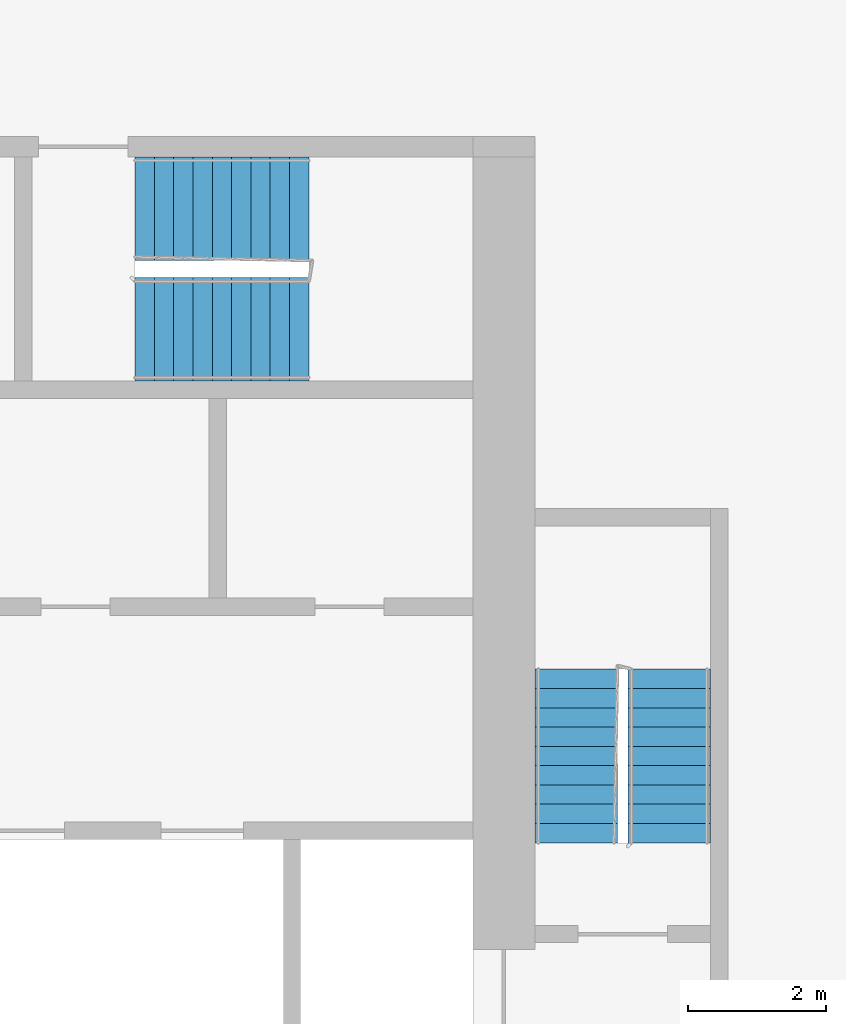
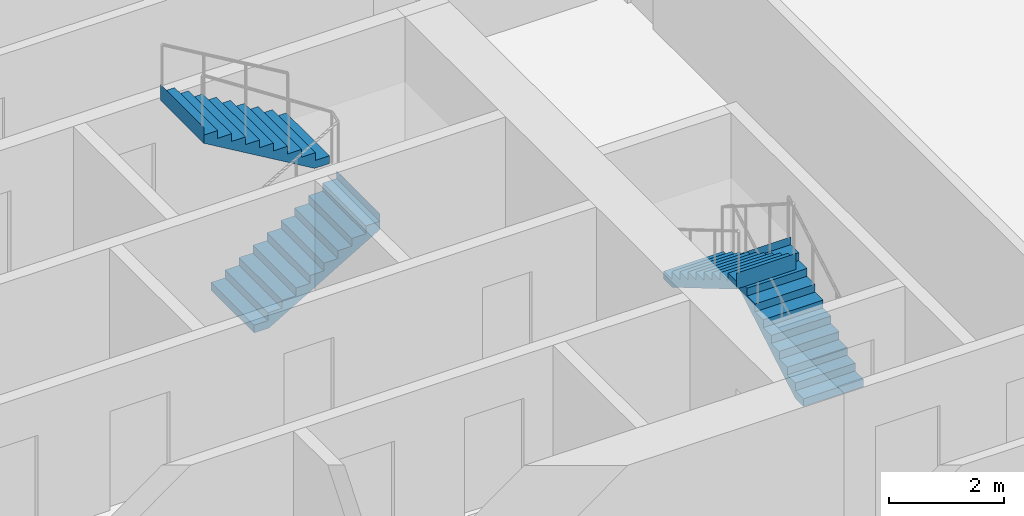
# One storey, part 10 of 11: 4 stair flights, 2 elements without a shape of their own.
"""IFC4 building model written with IfcOpenShell, lengths in metres."""

import ifcopenshell
import ifcopenshell.guid

model = None  # the IFC model being written
_history = None  # IfcOwnerHistory: only IFC2X3 demands one
_inside = {}  # id of a spatial element -> (the spatial element, [elements in it])
_under = {}  # id of a project, library or spatial element -> (it, [spatial elements below it])
_declared = {}  # id of a project -> (the project, [libraries it declares])
_typed = {}  # id of a type object -> (the type object, [elements of that type])
_made_of = {}  # id of a material, layer set ... -> (it, [elements and type objects made of it])


def new_model(schema):
    """Start an empty IFC model of exactly this schema.

    Asked for "IFC4X3", IfcOpenShell would pick the latest addendum, in which some entities
    have other attributes; the version numbers below select the first issue.
    IFC2X3 requires an IfcOwnerHistory on every rooted entity: one is made here for all.
    """
    global model, _history
    if schema == "IFC4X3":
        model = ifcopenshell.file(schema_version=(4, 3, 0, 0))
    else:
        model = ifcopenshell.file(schema=schema)
    _inside.clear()
    _under.clear()
    _declared.clear()
    _typed.clear()
    _made_of.clear()
    _history = None
    if model.schema == "IFC2X3":
        org = make("IfcOrganization", Name="unknown")
        user = make(
            "IfcPersonAndOrganization",
            ThePerson=make("IfcPerson", FamilyName="unknown"),
            TheOrganization=org,
        )
        app = make(
            "IfcApplication",
            ApplicationDeveloper=org,
            Version="unknown",
            ApplicationFullName="unknown",
            ApplicationIdentifier="unknown",
        )
        _history = make(
            "IfcOwnerHistory",
            OwningUser=user,
            OwningApplication=app,
            ChangeAction="ADDED",
            CreationDate=0,
        )
    return model


def make(cls, **values):
    """One entity of the class cls with the attributes given. An attribute that is None is left unset."""
    return model.create_entity(
        cls, **{name: value for name, value in values.items() if value is not None}
    )


def rooted(cls, **values):
    """An entity with a GlobalId (a new one), such as an element, a storey or a relation."""
    return make(cls, GlobalId=ifcopenshell.guid.new(), OwnerHistory=_history, **values)


def si_unit(unit_type, name, prefix=None):
    """IfcSIUnit, for example si_unit("LENGTHUNIT", "METRE", prefix="MILLI")."""
    return make("IfcSIUnit", UnitType=unit_type, Prefix=prefix, Name=name)


def assignment(units):
    """IfcUnitAssignment: the units of a project."""
    return None if units is None else make("IfcUnitAssignment", Units=units)


def point(xyz):
    """IfcCartesianPoint."""
    return None if xyz is None else make("IfcCartesianPoint", Coordinates=xyz)


def direction(xyz):
    """IfcDirection."""
    return None if xyz is None else make("IfcDirection", DirectionRatios=xyz)


def frame(location, z_axis=None, x_axis=None):
    """IfcAxis2Placement3D, a coordinate frame: its origin and axes. An axis left out is left unset."""
    return make(
        "IfcAxis2Placement3D",
        Location=point(location),
        Axis=direction(z_axis),
        RefDirection=direction(x_axis),
    )


def origin():
    """The frame at (0, 0, 0) with its axes left unset."""
    return frame((0.0, 0.0, 0.0))


def place(relative_to, where):
    """IfcLocalPlacement: puts the frame where relative to a parent placement (None: the world)."""
    return make(
        "IfcLocalPlacement", PlacementRelTo=relative_to, RelativePlacement=where
    )


def context(
    kind, dimensions, precision=None, world=None, true_north=None, identifier=None
):
    """IfcGeometricRepresentationContext, for example the 3D "Model" context."""
    return make(
        "IfcGeometricRepresentationContext",
        ContextIdentifier=identifier,
        ContextType=kind,
        CoordinateSpaceDimension=dimensions,
        Precision=precision,
        WorldCoordinateSystem=world,
        TrueNorth=true_north,
    )


def subcontext(parent, identifier, kind, view, scale=None):
    """IfcGeometricRepresentationSubContext, for example "Body" below "Model"."""
    return make(
        "IfcGeometricRepresentationSubContext",
        ContextIdentifier=identifier,
        ContextType=kind,
        ParentContext=parent,
        TargetScale=scale,
        TargetView=view,
    )


def project(units=None, contexts=None):
    """IfcProject with its units and contexts."""
    return rooted(
        "IfcProject",
        Name="project",
        RepresentationContexts=contexts,
        UnitsInContext=assignment(units),
    )


def spatial(cls, under=None, at=None, **own):
    """A site, building, storey or space (cls), placed at a placement, below another one or the project."""
    s = rooted(cls, ObjectPlacement=at, **own)
    if under is not None:
        _under.setdefault(under.id(), (under, []))[1].append(s)
    return s


def faces_of(points, faces, orient=None, outer=None):
    """IfcFace entities. A face is a list of loops; a loop is a list of indices into points, from 0.

    orient and outer hold one flag for each loop. By default every Orientation is true, the
    first loop of a face is its IfcFaceOuterBound and the others are IfcFaceBound.
    """
    made = []
    for i, loops in enumerate(faces):
        bounds = []
        for j, loop in enumerate(loops):
            is_outer = j == 0 if outer is None else outer[i][j]
            bounds.append(
                make(
                    "IfcFaceOuterBound" if is_outer else "IfcFaceBound",
                    Bound=make("IfcPolyLoop", Polygon=[points[k] for k in loop]),
                    Orientation=True if orient is None else orient[i][j],
                )
            )
        made.append(make("IfcFace", Bounds=bounds))
    return made


def faceted_brep(points, faces, orient=None, outer=None, voids=None):
    """IfcFacetedBrep: a solid bounded by flat faces; with voids (closed shells), ...WithVoids."""
    shared = [point(p) for p in points]
    hull = make("IfcClosedShell", CfsFaces=faces_of(shared, faces, orient, outer))
    if voids is None:
        return make("IfcFacetedBrep", Outer=hull)
    return make(
        "IfcFacetedBrepWithVoids",
        Outer=hull,
        Voids=[
            make(cls, CfsFaces=faces_of(shared, fs, o, b)) for cls, fs, o, b in voids
        ],
    )


def shape(context_of_items, identifier, shape_type, items):
    """IfcShapeRepresentation: the items that make up one representation, for example the "Body"."""
    return make(
        "IfcShapeRepresentation",
        ContextOfItems=context_of_items,
        RepresentationIdentifier=identifier,
        RepresentationType=shape_type,
        Items=items,
    )


def material(Name=None, Category=None):
    """IfcMaterial."""
    return make("IfcMaterial", Name=Name, Category=Category)


def made_of(thing, what):
    """Note that an element or type object is made of a material, layer set ...; save() writes the relation."""
    if what is not None:
        _made_of.setdefault(what.id(), (what, []))[1].append(thing)
    return thing


def type_object(cls, material=None, **own):
    """A type object (cls), such as IfcWallType, which elements share."""
    return made_of(rooted(cls, **own), material)


def element(
    cls,
    number,
    at=None,
    inside=None,
    cuts=None,
    type_object=None,
    material=None,
    context=None,
    identifier="Body",
    shape_type=None,
    held_by="IfcProductDefinitionShape",
    body=None,
    shapes=None,
    **own,
):
    """One element of the class cls, such as IfcWall. Its Tag is "e" and its number.

    at: its placement. inside: the storey or other place that contains it. cuts: it is an
    opening in that element (IfcRelVoidsElement). A single representation is given by context,
    identifier, shape_type and body (its items); several are given by shapes. held_by: the class
    of the entity that holds the representations. save() writes the other relations.
    """
    e = rooted(cls, Tag="e%d" % number, ObjectPlacement=at, **own)
    if body is not None:
        shapes = [shape(context, identifier, shape_type, body)]
    if shapes is not None:
        e.Representation = make(held_by, Representations=shapes)
    if inside is not None:
        _inside.setdefault(inside.id(), (inside, []))[1].append(e)
    if cuts is not None:
        rooted(
            "IfcRelVoidsElement", RelatingBuildingElement=cuts, RelatedOpeningElement=e
        )
    if type_object is not None:
        _typed.setdefault(type_object.id(), (type_object, []))[1].append(e)
    return made_of(e, material)


def aggregate(whole, parts):
    """IfcRelAggregates: a whole, such as a stair, and the parts it consists of."""
    return rooted("IfcRelAggregates", RelatingObject=whole, RelatedObjects=parts)


def save(model, path):
    """Write the relations noted so far, then the file.

    IfcRelAggregates (storeys below a building ...), IfcRelContainedInSpatialStructure (elements
    in a storey), IfcRelDefinesByType, IfcRelAssociatesMaterial and IfcRelDeclares: one each for
    every whole, place, type object, material and project.
    """
    for whole, parts in _under.values():
        aggregate(whole, parts)
    for where, things in _inside.values():
        rooted(
            "IfcRelContainedInSpatialStructure",
            RelatedElements=things,
            RelatingStructure=where,
        )
    for kind, things in _typed.values():
        rooted("IfcRelDefinesByType", RelatedObjects=things, RelatingType=kind)
    for what, things in _made_of.values():
        rooted("IfcRelAssociatesMaterial", RelatedObjects=things, RelatingMaterial=what)
    for by, libraries in _declared.values():
        rooted("IfcRelDeclares", RelatingContext=by, RelatedDefinitions=libraries)
    model.write(path)


model = new_model("IFC4")

# Units and contexts
model_context = context("Model", 3, precision=1e-05, world=origin(), true_north=direction((0.0, 1.0)))
body_context = subcontext(model_context, "Body", "Model", "MODEL_VIEW")
ifc_project = project(units=[si_unit("LENGTHUNIT", "METRE"), si_unit("AREAUNIT", "SQUARE_METRE"), si_unit("VOLUMEUNIT", "CUBIC_METRE"), si_unit("PLANEANGLEUNIT", "RADIAN"), si_unit("MASSUNIT", "GRAM", prefix="KILO")], contexts=[model_context])

# Site, building, storey
site_placement = place(None, origin())
site = spatial("IfcSite", under=ifc_project, at=site_placement, CompositionType="ELEMENT")
building_placement = place(site_placement, origin())
building = spatial("IfcBuilding", under=site, at=building_placement, Name="Kajstack Hotel Tower", CompositionType="ELEMENT")
storey_placement = place(building_placement, frame((0.0, 0.0, 221.0)))
storey = spatial("IfcBuildingStorey", under=building, at=storey_placement, Name="L53", CompositionType="ELEMENT", Elevation=221.0)

# Stair, stair flights
ifc_material = material(Name="Concrete C40/50", Category="concrete")
stair_type_1 = type_object("IfcStairType", Name="Exit stair 1200", PredefinedType="HALF_TURN_STAIR", material=ifc_material)
stair_1_placement = place(storey_placement, origin())
stair_1 = element("IfcStair", 1, at=stair_1_placement, inside=storey, type_object=stair_type_1, Name="L53 stair E1", PredefinedType="HALF_TURN_STAIR")
stair_flight_type_1 = type_object("IfcStairFlightType", Name="Exit stair flight 1200", PredefinedType="STRAIGHT", material=ifc_material)
stair_flight_1_placement = place(storey_placement, frame((33.449951171875, 5.25, 0.0), z_axis=(0.0, 0.0, 1.0), x_axis=(0.0, 1.0, 0.0)))
stair_flight_1 = element("IfcStairFlight", 2, at=stair_flight_1_placement, type_object=stair_flight_type_1, Name="E1 flight 1", NumberOfRisers=10, NumberOfTreads=9, PredefinedType="STRAIGHT", RiserHeight=0.165, TreadLength=0.28, context=body_context, shape_type="Brep", body=[
    faceted_brep([(0.295654296875, -0.60009765625, 0.0), (2.5205078125, -0.60009765625, 1.31103515625), (2.5205078125, -0.60009765625, 1.64990234375), (2.52001953125, -0.60009765625, 1.64990234375), (2.52001953125, -0.60009765625, 1.485107421875), (2.239990234375, -0.60009765625, 1.485107421875), (2.239990234375, -0.60009765625, 1.320068359375), (1.9599609375, -0.60009765625, 1.320068359375), (1.9599609375, -0.60009765625, 1.155029296875), (1.679931640625, -0.60009765625, 1.155029296875), (1.679931640625, -0.60009765625, 0.989990234375), (1.39990234375, -0.60009765625, 0.989990234375), (1.39990234375, -0.60009765625, 0.824951171875), (1.1201171875, -0.60009765625, 0.824951171875), (1.1201171875, -0.60009765625, 0.659912109375), (0.840087890625, -0.60009765625, 0.659912109375), (0.840087890625, -0.60009765625, 0.4951171875), (0.56005859375, -0.60009765625, 0.4951171875), (0.56005859375, -0.60009765625, 0.330078125), (0.280029296875, -0.60009765625, 0.330078125), (0.280029296875, -0.60009765625, 0.1650390625), (-0.00048828125, -0.60009765625, 0.1650390625), (-0.00048828125, -0.60009765625, 0.0), (-0.00048828125, 0.60009765625, 0.0), (-0.00048828125, 0.60009765625, 0.1650390625), (0.280029296875, 0.60009765625, 0.1650390625), (0.280029296875, 0.60009765625, 0.330078125), (0.56005859375, 0.60009765625, 0.330078125), (0.56005859375, 0.60009765625, 0.4951171875), (0.840087890625, 0.60009765625, 0.4951171875), (0.840087890625, 0.60009765625, 0.659912109375), (1.1201171875, 0.60009765625, 0.659912109375), (1.1201171875, 0.60009765625, 0.824951171875), (1.39990234375, 0.60009765625, 0.824951171875), (1.39990234375, 0.60009765625, 0.989990234375), (1.679931640625, 0.60009765625, 0.989990234375), (1.679931640625, 0.60009765625, 1.155029296875), (1.9599609375, 0.60009765625, 1.155029296875), (1.9599609375, 0.60009765625, 1.320068359375), (2.239990234375, 0.60009765625, 1.320068359375), (2.239990234375, 0.60009765625, 1.485107421875), (2.52001953125, 0.60009765625, 1.485107421875), (2.52001953125, 0.60009765625, 1.64990234375), (2.5205078125, 0.60009765625, 1.64990234375), (2.5205078125, 0.60009765625, 1.31103515625), (0.295654296875, 0.60009765625, 0.0), (-0.00048828125, -0.300048828125, 0.1650390625), (-0.00048828125, 0.0, 0.1650390625), (-0.00048828125, 0.300048828125, 0.1650390625), (-0.00048828125, 0.300048828125, 0.0), (-0.00048828125, 0.0, 0.0), (-0.00048828125, -0.300048828125, 0.0), (0.280029296875, -0.300048828125, 0.1650390625), (0.280029296875, 0.0, 0.1650390625), (0.280029296875, 0.300048828125, 0.1650390625), (0.280029296875, -0.300048828125, 0.330078125), (0.280029296875, 0.0, 0.330078125), (0.280029296875, 0.300048828125, 0.330078125), (0.56005859375, -0.300048828125, 0.330078125), (0.56005859375, 0.0, 0.330078125), (0.56005859375, 0.300048828125, 0.330078125), (0.56005859375, -0.300048828125, 0.4951171875), (0.56005859375, 0.0, 0.4951171875), (0.56005859375, 0.300048828125, 0.4951171875), (0.840087890625, -0.300048828125, 0.4951171875), (0.840087890625, 0.0, 0.4951171875), (0.840087890625, 0.300048828125, 0.4951171875), (0.840087890625, -0.300048828125, 0.659912109375), (0.840087890625, 0.0, 0.659912109375), (0.840087890625, 0.300048828125, 0.659912109375), (1.1201171875, -0.300048828125, 0.659912109375), (1.1201171875, 0.0, 0.659912109375), (1.1201171875, 0.300048828125, 0.659912109375), (1.1201171875, -0.300048828125, 0.824951171875), (1.1201171875, 0.0, 0.824951171875), (1.1201171875, 0.300048828125, 0.824951171875), (1.39990234375, -0.300048828125, 0.824951171875), (1.39990234375, 0.0, 0.824951171875), (1.39990234375, 0.300048828125, 0.824951171875), (1.39990234375, -0.300048828125, 0.989990234375), (1.39990234375, 0.0, 0.989990234375), (1.39990234375, 0.300048828125, 0.989990234375), (1.679931640625, -0.300048828125, 0.989990234375), (1.679931640625, 0.0, 0.989990234375), (1.679931640625, 0.300048828125, 0.989990234375), (1.679931640625, -0.300048828125, 1.155029296875), (1.679931640625, 0.0, 1.155029296875), (1.679931640625, 0.300048828125, 1.155029296875), (1.9599609375, -0.300048828125, 1.155029296875), (1.9599609375, 0.0, 1.155029296875), (1.9599609375, 0.300048828125, 1.155029296875), (1.9599609375, -0.300048828125, 1.320068359375), (1.9599609375, 0.0, 1.320068359375), (1.9599609375, 0.300048828125, 1.320068359375), (2.239990234375, -0.300048828125, 1.320068359375), (2.239990234375, 0.0, 1.320068359375), (2.239990234375, 0.300048828125, 1.320068359375), (2.239990234375, -0.300048828125, 1.485107421875), (2.239990234375, 0.0, 1.485107421875), (2.239990234375, 0.300048828125, 1.485107421875), (2.52001953125, -0.300048828125, 1.485107421875), (2.52001953125, 0.0, 1.485107421875), (2.52001953125, 0.300048828125, 1.485107421875), (2.52001953125, -0.300048828125, 1.64990234375), (2.52001953125, 0.0, 1.64990234375), (2.52001953125, 0.300048828125, 1.64990234375), (2.5205078125, -0.300048828125, 1.64990234375), (2.5205078125, 0.0, 1.64990234375), (2.5205078125, 0.300048828125, 1.64990234375), (2.5205078125, -0.300048828125, 1.31103515625), (2.5205078125, 0.0, 1.31103515625), (2.5205078125, 0.300048828125, 1.31103515625), (0.295654296875, -0.300048828125, 0.0), (0.295654296875, 0.0, 0.0), (0.295654296875, 0.300048828125, 0.0)], [[[0, 1, 2, 3, 4, 5, 6, 7, 8, 9, 10, 11, 12, 13, 14, 15, 16, 17, 18, 19, 20, 21, 22]], [[23, 24, 25, 26, 27, 28, 29, 30, 31, 32, 33, 34, 35, 36, 37, 38, 39, 40, 41, 42, 43, 44, 45]], [[21, 46, 47, 48, 24, 23, 49, 50, 51, 22]], [[20, 52, 53, 54, 25, 24, 48, 47, 46, 21]], [[19, 55, 56, 57, 26, 25, 54, 53, 52, 20]], [[18, 58, 59, 60, 27, 26, 57, 56, 55, 19]], [[17, 61, 62, 63, 28, 27, 60, 59, 58, 18]], [[16, 64, 65, 66, 29, 28, 63, 62, 61, 17]], [[15, 67, 68, 69, 30, 29, 66, 65, 64, 16]], [[14, 70, 71, 72, 31, 30, 69, 68, 67, 15]], [[13, 73, 74, 75, 32, 31, 72, 71, 70, 14]], [[12, 76, 77, 78, 33, 32, 75, 74, 73, 13]], [[11, 79, 80, 81, 34, 33, 78, 77, 76, 12]], [[10, 82, 83, 84, 35, 34, 81, 80, 79, 11]], [[9, 85, 86, 87, 36, 35, 84, 83, 82, 10]], [[8, 88, 89, 90, 37, 36, 87, 86, 85, 9]], [[7, 91, 92, 93, 38, 37, 90, 89, 88, 8]], [[6, 94, 95, 96, 39, 38, 93, 92, 91, 7]], [[5, 97, 98, 99, 40, 39, 96, 95, 94, 6]], [[4, 100, 101, 102, 41, 40, 99, 98, 97, 5]], [[3, 103, 104, 105, 42, 41, 102, 101, 100, 4]], [[2, 106, 107, 108, 43, 42, 105, 104, 103, 3]], [[1, 109, 110, 111, 44, 43, 108, 107, 106, 2]], [[0, 112, 113, 114, 45, 44, 111, 110, 109, 1]], [[22, 51, 50, 49, 23, 45, 114, 113, 112, 0]]]),
])
stair_flight_2_placement = place(storey_placement, frame((32.10009765625, 7.77001953125, 1.64990234375), z_axis=(0.0, 0.0, 1.0), x_axis=(0.0, -1.0, 0.0)))
stair_flight_2 = element("IfcStairFlight", 3, at=stair_flight_2_placement, type_object=stair_flight_type_1, Name="E1 flight 2", NumberOfRisers=10, NumberOfTreads=9, PredefinedType="STRAIGHT", RiserHeight=0.165, TreadLength=0.28, context=body_context, shape_type="Brep", body=[
    faceted_brep([(0.295654296875, -0.60009765625, 0.0), (2.5205078125, -0.60009765625, 1.31103515625), (2.5205078125, -0.60009765625, 1.64990234375), (2.52001953125, -0.60009765625, 1.64990234375), (2.52001953125, -0.60009765625, 1.485107421875), (2.239990234375, -0.60009765625, 1.485107421875), (2.239990234375, -0.60009765625, 1.320068359375), (1.9599609375, -0.60009765625, 1.320068359375), (1.9599609375, -0.60009765625, 1.155029296875), (1.679931640625, -0.60009765625, 1.155029296875), (1.679931640625, -0.60009765625, 0.989990234375), (1.39990234375, -0.60009765625, 0.989990234375), (1.39990234375, -0.60009765625, 0.824951171875), (1.1201171875, -0.60009765625, 0.824951171875), (1.1201171875, -0.60009765625, 0.659912109375), (0.840087890625, -0.60009765625, 0.659912109375), (0.840087890625, -0.60009765625, 0.4951171875), (0.56005859375, -0.60009765625, 0.4951171875), (0.56005859375, -0.60009765625, 0.330078125), (0.280029296875, -0.60009765625, 0.330078125), (0.280029296875, -0.60009765625, 0.1650390625), (-0.00048828125, -0.60009765625, 0.1650390625), (-0.00048828125, -0.60009765625, 0.0), (-0.00048828125, 0.60009765625, 0.0), (-0.00048828125, 0.60009765625, 0.1650390625), (0.280029296875, 0.60009765625, 0.1650390625), (0.280029296875, 0.60009765625, 0.330078125), (0.56005859375, 0.60009765625, 0.330078125), (0.56005859375, 0.60009765625, 0.4951171875), (0.840087890625, 0.60009765625, 0.4951171875), (0.840087890625, 0.60009765625, 0.659912109375), (1.1201171875, 0.60009765625, 0.659912109375), (1.1201171875, 0.60009765625, 0.824951171875), (1.39990234375, 0.60009765625, 0.824951171875), (1.39990234375, 0.60009765625, 0.989990234375), (1.679931640625, 0.60009765625, 0.989990234375), (1.679931640625, 0.60009765625, 1.155029296875), (1.9599609375, 0.60009765625, 1.155029296875), (1.9599609375, 0.60009765625, 1.320068359375), (2.239990234375, 0.60009765625, 1.320068359375), (2.239990234375, 0.60009765625, 1.485107421875), (2.52001953125, 0.60009765625, 1.485107421875), (2.52001953125, 0.60009765625, 1.64990234375), (2.5205078125, 0.60009765625, 1.64990234375), (2.5205078125, 0.60009765625, 1.31103515625), (0.295654296875, 0.60009765625, 0.0), (-0.00048828125, -0.300048828125, 0.1650390625), (-0.00048828125, 0.0, 0.1650390625), (-0.00048828125, 0.300048828125, 0.1650390625), (-0.00048828125, 0.300048828125, 0.0), (-0.00048828125, 0.0, 0.0), (-0.00048828125, -0.300048828125, 0.0), (0.280029296875, -0.300048828125, 0.1650390625), (0.280029296875, 0.0, 0.1650390625), (0.280029296875, 0.300048828125, 0.1650390625), (0.280029296875, -0.300048828125, 0.330078125), (0.280029296875, 0.0, 0.330078125), (0.280029296875, 0.300048828125, 0.330078125), (0.56005859375, -0.300048828125, 0.330078125), (0.56005859375, 0.0, 0.330078125), (0.56005859375, 0.300048828125, 0.330078125), (0.56005859375, -0.300048828125, 0.4951171875), (0.56005859375, 0.0, 0.4951171875), (0.56005859375, 0.300048828125, 0.4951171875), (0.840087890625, -0.300048828125, 0.4951171875), (0.840087890625, 0.0, 0.4951171875), (0.840087890625, 0.300048828125, 0.4951171875), (0.840087890625, -0.300048828125, 0.659912109375), (0.840087890625, 0.0, 0.659912109375), (0.840087890625, 0.300048828125, 0.659912109375), (1.1201171875, -0.300048828125, 0.659912109375), (1.1201171875, 0.0, 0.659912109375), (1.1201171875, 0.300048828125, 0.659912109375), (1.1201171875, -0.300048828125, 0.824951171875), (1.1201171875, 0.0, 0.824951171875), (1.1201171875, 0.300048828125, 0.824951171875), (1.39990234375, -0.300048828125, 0.824951171875), (1.39990234375, 0.0, 0.824951171875), (1.39990234375, 0.300048828125, 0.824951171875), (1.39990234375, -0.300048828125, 0.989990234375), (1.39990234375, 0.0, 0.989990234375), (1.39990234375, 0.300048828125, 0.989990234375), (1.679931640625, -0.300048828125, 0.989990234375), (1.679931640625, 0.0, 0.989990234375), (1.679931640625, 0.300048828125, 0.989990234375), (1.679931640625, -0.300048828125, 1.155029296875), (1.679931640625, 0.0, 1.155029296875), (1.679931640625, 0.300048828125, 1.155029296875), (1.9599609375, -0.300048828125, 1.155029296875), (1.9599609375, 0.0, 1.155029296875), (1.9599609375, 0.300048828125, 1.155029296875), (1.9599609375, -0.300048828125, 1.320068359375), (1.9599609375, 0.0, 1.320068359375), (1.9599609375, 0.300048828125, 1.320068359375), (2.239990234375, -0.300048828125, 1.320068359375), (2.239990234375, 0.0, 1.320068359375), (2.239990234375, 0.300048828125, 1.320068359375), (2.239990234375, -0.300048828125, 1.485107421875), (2.239990234375, 0.0, 1.485107421875), (2.239990234375, 0.300048828125, 1.485107421875), (2.52001953125, -0.300048828125, 1.485107421875), (2.52001953125, 0.0, 1.485107421875), (2.52001953125, 0.300048828125, 1.485107421875), (2.52001953125, -0.300048828125, 1.64990234375), (2.52001953125, 0.0, 1.64990234375), (2.52001953125, 0.300048828125, 1.64990234375), (2.5205078125, -0.300048828125, 1.64990234375), (2.5205078125, 0.0, 1.64990234375), (2.5205078125, 0.300048828125, 1.64990234375), (2.5205078125, -0.300048828125, 1.31103515625), (2.5205078125, 0.0, 1.31103515625), (2.5205078125, 0.300048828125, 1.31103515625), (0.295654296875, -0.300048828125, 0.0), (0.295654296875, 0.0, 0.0), (0.295654296875, 0.300048828125, 0.0)], [[[0, 1, 2, 3, 4, 5, 6, 7, 8, 9, 10, 11, 12, 13, 14, 15, 16, 17, 18, 19, 20, 21, 22]], [[23, 24, 25, 26, 27, 28, 29, 30, 31, 32, 33, 34, 35, 36, 37, 38, 39, 40, 41, 42, 43, 44, 45]], [[21, 46, 47, 48, 24, 23, 49, 50, 51, 22]], [[20, 52, 53, 54, 25, 24, 48, 47, 46, 21]], [[19, 55, 56, 57, 26, 25, 54, 53, 52, 20]], [[18, 58, 59, 60, 27, 26, 57, 56, 55, 19]], [[17, 61, 62, 63, 28, 27, 60, 59, 58, 18]], [[16, 64, 65, 66, 29, 28, 63, 62, 61, 17]], [[15, 67, 68, 69, 30, 29, 66, 65, 64, 16]], [[14, 70, 71, 72, 31, 30, 69, 68, 67, 15]], [[13, 73, 74, 75, 32, 31, 72, 71, 70, 14]], [[12, 76, 77, 78, 33, 32, 75, 74, 73, 13]], [[11, 79, 80, 81, 34, 33, 78, 77, 76, 12]], [[10, 82, 83, 84, 35, 34, 81, 80, 79, 11]], [[9, 85, 86, 87, 36, 35, 84, 83, 82, 10]], [[8, 88, 89, 90, 37, 36, 87, 86, 85, 9]], [[7, 91, 92, 93, 38, 37, 90, 89, 88, 8]], [[6, 94, 95, 96, 39, 38, 93, 92, 91, 7]], [[5, 97, 98, 99, 40, 39, 96, 95, 94, 6]], [[4, 100, 101, 102, 41, 40, 99, 98, 97, 5]], [[3, 103, 104, 105, 42, 41, 102, 101, 100, 4]], [[2, 106, 107, 108, 43, 42, 105, 104, 103, 3]], [[1, 109, 110, 111, 44, 43, 108, 107, 106, 2]], [[0, 112, 113, 114, 45, 44, 111, 110, 109, 1]], [[22, 51, 50, 49, 23, 45, 114, 113, 112, 0]]]),
])
aggregate(stair_1, [stair_flight_1, stair_flight_2])

stair_type_2 = type_object("IfcStairType", Name="Exit stair 1500", PredefinedType="HALF_TURN_STAIR", material=ifc_material)
stair_2_placement = place(storey_placement, origin())
stair_2 = element("IfcStair", 4, at=stair_2_placement, inside=storey, type_object=stair_type_2, Name="L53 stair E3", PredefinedType="HALF_TURN_STAIR")
stair_flight_type_2 = type_object("IfcStairFlightType", Name="Exit stair flight 1500", PredefinedType="STRAIGHT", material=ifc_material)
stair_flight_3_placement = place(storey_placement, frame((25.699951171875, 12.699951171875, 0.0), z_axis=(0.0, 0.0, 1.0), x_axis=(1.0, 0.0, 0.0)))
stair_flight_3 = element("IfcStairFlight", 5, at=stair_flight_3_placement, type_object=stair_flight_type_2, Name="E3 flight 1", NumberOfRisers=10, NumberOfTreads=9, PredefinedType="STRAIGHT", RiserHeight=0.165, TreadLength=0.28, context=body_context, shape_type="Brep", body=[
    faceted_brep([(0.295654296875, -0.75, 0.0), (2.5205078125, -0.75, 1.31103515625), (2.5205078125, -0.75, 1.64990234375), (2.52001953125, -0.75, 1.64990234375), (2.52001953125, -0.75, 1.485107421875), (2.239990234375, -0.75, 1.485107421875), (2.239990234375, -0.75, 1.320068359375), (1.9599609375, -0.75, 1.320068359375), (1.9599609375, -0.75, 1.155029296875), (1.679931640625, -0.75, 1.155029296875), (1.679931640625, -0.75, 0.989990234375), (1.39990234375, -0.75, 0.989990234375), (1.39990234375, -0.75, 0.824951171875), (1.1201171875, -0.75, 0.824951171875), (1.1201171875, -0.75, 0.659912109375), (0.840087890625, -0.75, 0.659912109375), (0.840087890625, -0.75, 0.4951171875), (0.56005859375, -0.75, 0.4951171875), (0.56005859375, -0.75, 0.330078125), (0.280029296875, -0.75, 0.330078125), (0.280029296875, -0.75, 0.1650390625), (-0.00048828125, -0.75, 0.1650390625), (-0.00048828125, -0.75, 0.0), (-0.00048828125, 0.75, 0.0), (-0.00048828125, 0.75, 0.1650390625), (0.280029296875, 0.75, 0.1650390625), (0.280029296875, 0.75, 0.330078125), (0.56005859375, 0.75, 0.330078125), (0.56005859375, 0.75, 0.4951171875), (0.840087890625, 0.75, 0.4951171875), (0.840087890625, 0.75, 0.659912109375), (1.1201171875, 0.75, 0.659912109375), (1.1201171875, 0.75, 0.824951171875), (1.39990234375, 0.75, 0.824951171875), (1.39990234375, 0.75, 0.989990234375), (1.679931640625, 0.75, 0.989990234375), (1.679931640625, 0.75, 1.155029296875), (1.9599609375, 0.75, 1.155029296875), (1.9599609375, 0.75, 1.320068359375), (2.239990234375, 0.75, 1.320068359375), (2.239990234375, 0.75, 1.485107421875), (2.52001953125, 0.75, 1.485107421875), (2.52001953125, 0.75, 1.64990234375), (2.5205078125, 0.75, 1.64990234375), (2.5205078125, 0.75, 1.31103515625), (0.295654296875, 0.75, 0.0), (-0.00048828125, -0.375, 0.1650390625), (-0.00048828125, 0.0, 0.1650390625), (-0.00048828125, 0.375, 0.1650390625), (-0.00048828125, 0.375, 0.0), (-0.00048828125, 0.0, 0.0), (-0.00048828125, -0.375, 0.0), (0.280029296875, -0.375, 0.1650390625), (0.280029296875, 0.0, 0.1650390625), (0.280029296875, 0.375, 0.1650390625), (0.280029296875, -0.375, 0.330078125), (0.280029296875, 0.0, 0.330078125), (0.280029296875, 0.375, 0.330078125), (0.56005859375, -0.375, 0.330078125), (0.56005859375, 0.0, 0.330078125), (0.56005859375, 0.375, 0.330078125), (0.56005859375, -0.375, 0.4951171875), (0.56005859375, 0.0, 0.4951171875), (0.56005859375, 0.375, 0.4951171875), (0.840087890625, -0.375, 0.4951171875), (0.840087890625, 0.0, 0.4951171875), (0.840087890625, 0.375, 0.4951171875), (0.840087890625, -0.375, 0.659912109375), (0.840087890625, 0.0, 0.659912109375), (0.840087890625, 0.375, 0.659912109375), (1.1201171875, -0.375, 0.659912109375), (1.1201171875, 0.0, 0.659912109375), (1.1201171875, 0.375, 0.659912109375), (1.1201171875, -0.375, 0.824951171875), (1.1201171875, 0.0, 0.824951171875), (1.1201171875, 0.375, 0.824951171875), (1.39990234375, -0.375, 0.824951171875), (1.39990234375, 0.0, 0.824951171875), (1.39990234375, 0.375, 0.824951171875), (1.39990234375, -0.375, 0.989990234375), (1.39990234375, 0.0, 0.989990234375), (1.39990234375, 0.375, 0.989990234375), (1.679931640625, -0.375, 0.989990234375), (1.679931640625, 0.0, 0.989990234375), (1.679931640625, 0.375, 0.989990234375), (1.679931640625, -0.375, 1.155029296875), (1.679931640625, 0.0, 1.155029296875), (1.679931640625, 0.375, 1.155029296875), (1.9599609375, -0.375, 1.155029296875), (1.9599609375, 0.0, 1.155029296875), (1.9599609375, 0.375, 1.155029296875), (1.9599609375, -0.375, 1.320068359375), (1.9599609375, 0.0, 1.320068359375), (1.9599609375, 0.375, 1.320068359375), (2.239990234375, -0.375, 1.320068359375), (2.239990234375, 0.0, 1.320068359375), (2.239990234375, 0.375, 1.320068359375), (2.239990234375, -0.375, 1.485107421875), (2.239990234375, 0.0, 1.485107421875), (2.239990234375, 0.375, 1.485107421875), (2.52001953125, -0.375, 1.485107421875), (2.52001953125, 0.0, 1.485107421875), (2.52001953125, 0.375, 1.485107421875), (2.52001953125, -0.375, 1.64990234375), (2.52001953125, 0.0, 1.64990234375), (2.52001953125, 0.375, 1.64990234375), (2.5205078125, -0.375, 1.64990234375), (2.5205078125, 0.0, 1.64990234375), (2.5205078125, 0.375, 1.64990234375), (2.5205078125, -0.375, 1.31103515625), (2.5205078125, 0.0, 1.31103515625), (2.5205078125, 0.375, 1.31103515625), (0.295654296875, -0.375, 0.0), (0.295654296875, 0.0, 0.0), (0.295654296875, 0.375, 0.0)], [[[0, 1, 2, 3, 4, 5, 6, 7, 8, 9, 10, 11, 12, 13, 14, 15, 16, 17, 18, 19, 20, 21, 22]], [[23, 24, 25, 26, 27, 28, 29, 30, 31, 32, 33, 34, 35, 36, 37, 38, 39, 40, 41, 42, 43, 44, 45]], [[21, 46, 47, 48, 24, 23, 49, 50, 51, 22]], [[20, 52, 53, 54, 25, 24, 48, 47, 46, 21]], [[19, 55, 56, 57, 26, 25, 54, 53, 52, 20]], [[18, 58, 59, 60, 27, 26, 57, 56, 55, 19]], [[17, 61, 62, 63, 28, 27, 60, 59, 58, 18]], [[16, 64, 65, 66, 29, 28, 63, 62, 61, 17]], [[15, 67, 68, 69, 30, 29, 66, 65, 64, 16]], [[14, 70, 71, 72, 31, 30, 69, 68, 67, 15]], [[13, 73, 74, 75, 32, 31, 72, 71, 70, 14]], [[12, 76, 77, 78, 33, 32, 75, 74, 73, 13]], [[11, 79, 80, 81, 34, 33, 78, 77, 76, 12]], [[10, 82, 83, 84, 35, 34, 81, 80, 79, 11]], [[9, 85, 86, 87, 36, 35, 84, 83, 82, 10]], [[8, 88, 89, 90, 37, 36, 87, 86, 85, 9]], [[7, 91, 92, 93, 38, 37, 90, 89, 88, 8]], [[6, 94, 95, 96, 39, 38, 93, 92, 91, 7]], [[5, 97, 98, 99, 40, 39, 96, 95, 94, 6]], [[4, 100, 101, 102, 41, 40, 99, 98, 97, 5]], [[3, 103, 104, 105, 42, 41, 102, 101, 100, 4]], [[2, 106, 107, 108, 43, 42, 105, 104, 103, 3]], [[1, 109, 110, 111, 44, 43, 108, 107, 106, 2]], [[0, 112, 113, 114, 45, 44, 111, 110, 109, 1]], [[22, 51, 50, 49, 23, 45, 114, 113, 112, 0]]]),
])
stair_flight_4_placement = place(storey_placement, frame((28.219970703125, 14.449951171875, 1.64990234375), z_axis=(0.0, 0.0, 1.0), x_axis=(-1.0, 0.0, 0.0)))
stair_flight_4 = element("IfcStairFlight", 6, at=stair_flight_4_placement, type_object=stair_flight_type_2, Name="E3 flight 2", NumberOfRisers=10, NumberOfTreads=9, PredefinedType="STRAIGHT", RiserHeight=0.165, TreadLength=0.28, context=body_context, shape_type="Brep", body=[
    faceted_brep([(0.295654296875, -0.75, 0.0), (2.5205078125, -0.75, 1.31103515625), (2.5205078125, -0.75, 1.64990234375), (2.52001953125, -0.75, 1.64990234375), (2.52001953125, -0.75, 1.485107421875), (2.239990234375, -0.75, 1.485107421875), (2.239990234375, -0.75, 1.320068359375), (1.9599609375, -0.75, 1.320068359375), (1.9599609375, -0.75, 1.155029296875), (1.679931640625, -0.75, 1.155029296875), (1.679931640625, -0.75, 0.989990234375), (1.39990234375, -0.75, 0.989990234375), (1.39990234375, -0.75, 0.824951171875), (1.1201171875, -0.75, 0.824951171875), (1.1201171875, -0.75, 0.659912109375), (0.840087890625, -0.75, 0.659912109375), (0.840087890625, -0.75, 0.4951171875), (0.56005859375, -0.75, 0.4951171875), (0.56005859375, -0.75, 0.330078125), (0.280029296875, -0.75, 0.330078125), (0.280029296875, -0.75, 0.1650390625), (-0.00048828125, -0.75, 0.1650390625), (-0.00048828125, -0.75, 0.0), (-0.00048828125, 0.75, 0.0), (-0.00048828125, 0.75, 0.1650390625), (0.280029296875, 0.75, 0.1650390625), (0.280029296875, 0.75, 0.330078125), (0.56005859375, 0.75, 0.330078125), (0.56005859375, 0.75, 0.4951171875), (0.840087890625, 0.75, 0.4951171875), (0.840087890625, 0.75, 0.659912109375), (1.1201171875, 0.75, 0.659912109375), (1.1201171875, 0.75, 0.824951171875), (1.39990234375, 0.75, 0.824951171875), (1.39990234375, 0.75, 0.989990234375), (1.679931640625, 0.75, 0.989990234375), (1.679931640625, 0.75, 1.155029296875), (1.9599609375, 0.75, 1.155029296875), (1.9599609375, 0.75, 1.320068359375), (2.239990234375, 0.75, 1.320068359375), (2.239990234375, 0.75, 1.485107421875), (2.52001953125, 0.75, 1.485107421875), (2.52001953125, 0.75, 1.64990234375), (2.5205078125, 0.75, 1.64990234375), (2.5205078125, 0.75, 1.31103515625), (0.295654296875, 0.75, 0.0), (-0.00048828125, -0.375, 0.1650390625), (-0.00048828125, 0.0, 0.1650390625), (-0.00048828125, 0.375, 0.1650390625), (-0.00048828125, 0.375, 0.0), (-0.00048828125, 0.0, 0.0), (-0.00048828125, -0.375, 0.0), (0.280029296875, -0.375, 0.1650390625), (0.280029296875, 0.0, 0.1650390625), (0.280029296875, 0.375, 0.1650390625), (0.280029296875, -0.375, 0.330078125), (0.280029296875, 0.0, 0.330078125), (0.280029296875, 0.375, 0.330078125), (0.56005859375, -0.375, 0.330078125), (0.56005859375, 0.0, 0.330078125), (0.56005859375, 0.375, 0.330078125), (0.56005859375, -0.375, 0.4951171875), (0.56005859375, 0.0, 0.4951171875), (0.56005859375, 0.375, 0.4951171875), (0.840087890625, -0.375, 0.4951171875), (0.840087890625, 0.0, 0.4951171875), (0.840087890625, 0.375, 0.4951171875), (0.840087890625, -0.375, 0.659912109375), (0.840087890625, 0.0, 0.659912109375), (0.840087890625, 0.375, 0.659912109375), (1.1201171875, -0.375, 0.659912109375), (1.1201171875, 0.0, 0.659912109375), (1.1201171875, 0.375, 0.659912109375), (1.1201171875, -0.375, 0.824951171875), (1.1201171875, 0.0, 0.824951171875), (1.1201171875, 0.375, 0.824951171875), (1.39990234375, -0.375, 0.824951171875), (1.39990234375, 0.0, 0.824951171875), (1.39990234375, 0.375, 0.824951171875), (1.39990234375, -0.375, 0.989990234375), (1.39990234375, 0.0, 0.989990234375), (1.39990234375, 0.375, 0.989990234375), (1.679931640625, -0.375, 0.989990234375), (1.679931640625, 0.0, 0.989990234375), (1.679931640625, 0.375, 0.989990234375), (1.679931640625, -0.375, 1.155029296875), (1.679931640625, 0.0, 1.155029296875), (1.679931640625, 0.375, 1.155029296875), (1.9599609375, -0.375, 1.155029296875), (1.9599609375, 0.0, 1.155029296875), (1.9599609375, 0.375, 1.155029296875), (1.9599609375, -0.375, 1.320068359375), (1.9599609375, 0.0, 1.320068359375), (1.9599609375, 0.375, 1.320068359375), (2.239990234375, -0.375, 1.320068359375), (2.239990234375, 0.0, 1.320068359375), (2.239990234375, 0.375, 1.320068359375), (2.239990234375, -0.375, 1.485107421875), (2.239990234375, 0.0, 1.485107421875), (2.239990234375, 0.375, 1.485107421875), (2.52001953125, -0.375, 1.485107421875), (2.52001953125, 0.0, 1.485107421875), (2.52001953125, 0.375, 1.485107421875), (2.52001953125, -0.375, 1.64990234375), (2.52001953125, 0.0, 1.64990234375), (2.52001953125, 0.375, 1.64990234375), (2.5205078125, -0.375, 1.64990234375), (2.5205078125, 0.0, 1.64990234375), (2.5205078125, 0.375, 1.64990234375), (2.5205078125, -0.375, 1.31103515625), (2.5205078125, 0.0, 1.31103515625), (2.5205078125, 0.375, 1.31103515625), (0.295654296875, -0.375, 0.0), (0.295654296875, 0.0, 0.0), (0.295654296875, 0.375, 0.0)], [[[0, 1, 2, 3, 4, 5, 6, 7, 8, 9, 10, 11, 12, 13, 14, 15, 16, 17, 18, 19, 20, 21, 22]], [[23, 24, 25, 26, 27, 28, 29, 30, 31, 32, 33, 34, 35, 36, 37, 38, 39, 40, 41, 42, 43, 44, 45]], [[21, 46, 47, 48, 24, 23, 49, 50, 51, 22]], [[20, 52, 53, 54, 25, 24, 48, 47, 46, 21]], [[19, 55, 56, 57, 26, 25, 54, 53, 52, 20]], [[18, 58, 59, 60, 27, 26, 57, 56, 55, 19]], [[17, 61, 62, 63, 28, 27, 60, 59, 58, 18]], [[16, 64, 65, 66, 29, 28, 63, 62, 61, 17]], [[15, 67, 68, 69, 30, 29, 66, 65, 64, 16]], [[14, 70, 71, 72, 31, 30, 69, 68, 67, 15]], [[13, 73, 74, 75, 32, 31, 72, 71, 70, 14]], [[12, 76, 77, 78, 33, 32, 75, 74, 73, 13]], [[11, 79, 80, 81, 34, 33, 78, 77, 76, 12]], [[10, 82, 83, 84, 35, 34, 81, 80, 79, 11]], [[9, 85, 86, 87, 36, 35, 84, 83, 82, 10]], [[8, 88, 89, 90, 37, 36, 87, 86, 85, 9]], [[7, 91, 92, 93, 38, 37, 90, 89, 88, 8]], [[6, 94, 95, 96, 39, 38, 93, 92, 91, 7]], [[5, 97, 98, 99, 40, 39, 96, 95, 94, 6]], [[4, 100, 101, 102, 41, 40, 99, 98, 97, 5]], [[3, 103, 104, 105, 42, 41, 102, 101, 100, 4]], [[2, 106, 107, 108, 43, 42, 105, 104, 103, 3]], [[1, 109, 110, 111, 44, 43, 108, 107, 106, 2]], [[0, 112, 113, 114, 45, 44, 111, 110, 109, 1]], [[22, 51, 50, 49, 23, 45, 114, 113, 112, 0]]]),
])
aggregate(stair_2, [stair_flight_3, stair_flight_4])

save(model, "model.ifc")
